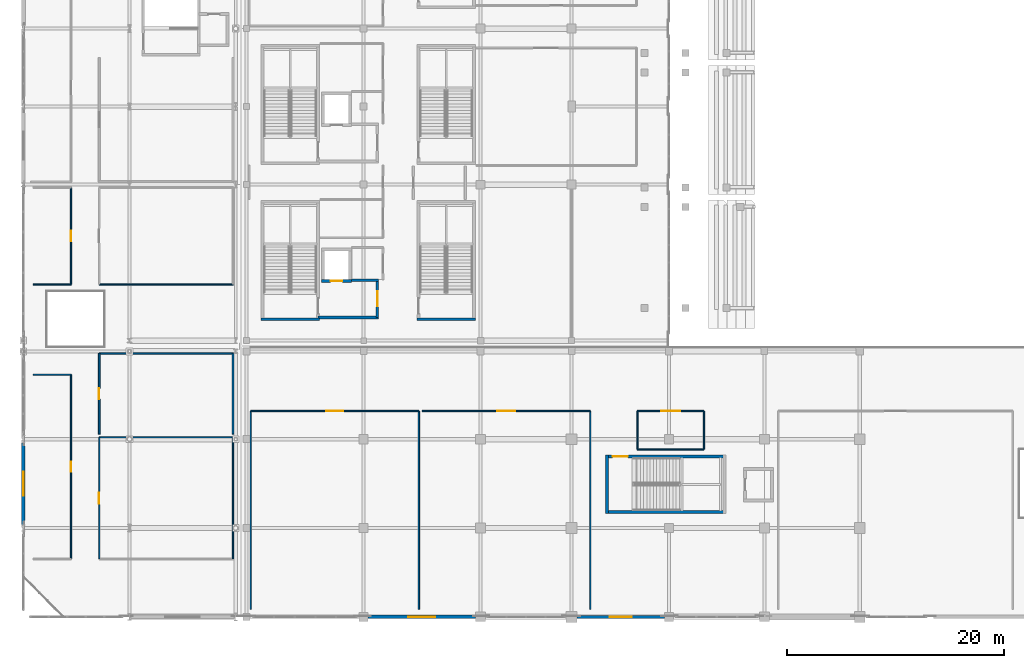
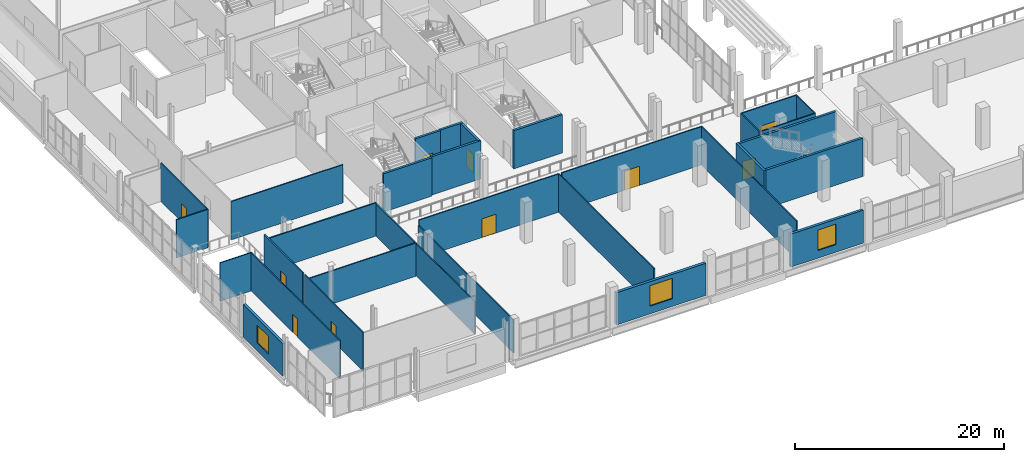
# One storey, part 87 of 142: 32 walls, 10 doors, 3 windows, 13 openings.
"""IFC4 building model written with IfcOpenShell, lengths in metres."""

from ifc_helpers import new_model, si_unit, direction, frame, frame_2d, origin, place, context, subcontext, project, spatial, rectangle, extrude, material, layer, layer_set, type_object, element, fill, save


model = new_model("IFC4")

# Units and contexts
model_context = context("Model", 3, precision=1e-05, world=origin(), true_north=direction((0.0, 1.0)))
body_context = subcontext(model_context, "Body", "Model", "MODEL_VIEW")
ifc_project = project(units=[si_unit("LENGTHUNIT", "METRE"), si_unit("AREAUNIT", "SQUARE_METRE"), si_unit("VOLUMEUNIT", "CUBIC_METRE"), si_unit("PLANEANGLEUNIT", "RADIAN"), si_unit("MASSUNIT", "GRAM", prefix="KILO")], contexts=[model_context])

# Site, building, storey
site_placement = place(None, origin())
site = spatial("IfcSite", under=ifc_project, at=site_placement, CompositionType="ELEMENT")
building_placement = place(site_placement, origin())
building = spatial("IfcBuilding", under=site, at=building_placement, Name="Koshinbarg Plaza Stadium", CompositionType="ELEMENT")
storey_placement = place(building_placement, frame((0.0, 0.0, 10.199951171875)))
storey = spatial("IfcBuildingStorey", under=building, at=storey_placement, Name="L02", CompositionType="ELEMENT", Elevation=10.199951171875)

# Walls
ifc_material_1 = material(Name="Concrete C40/50", Category="concrete")
ifc_layer_1 = layer(ifc_material_1, 0.25)
ifc_layer_set_1 = layer_set([ifc_layer_1], Name="Concrete C40/50")
wall_type_1 = type_object("IfcWallType", Name="WL-CORE-250", PredefinedType="SHEAR", material=ifc_layer_set_1)
wall_1_placement = place(storey_placement, frame((25.949951171875, 27.47509765625, 0.0), z_axis=(0.0, 0.0, 1.0), x_axis=(1.0, 0.0, 0.0)))
element("IfcWall", 1, at=wall_1_placement, inside=storey, type_object=wall_type_1, Name="L02 core stair shear wall C01-near IWL-L02-0009", PredefinedType="SHEAR", context=body_context, shape_type="SweptSolid", body=[
    extrude(rectangle(XDim=5.3701171875, YDim=0.25, at=frame_2d((2.68505859375, 0.0))), origin(), (0.0, 0.0, 1.0), 4.47998046875),
])
wall_2_placement = place(storey_placement, frame((57.875, 14.919921875, 0.0), z_axis=(0.0, 0.0, 1.0), x_axis=(0.0, -1.0, 0.0)))
element("IfcWall", 2, at=wall_2_placement, inside=storey, type_object=wall_type_1, Name="L02 core stair shear wall C13-near IWL-L02-0298", PredefinedType="SHEAR", context=body_context, shape_type="SweptSolid", body=[
    extrude(rectangle(XDim=5.369873046875, YDim=0.25, at=frame_2d((2.68505859375, 0.0))), origin(), (0.0, 0.0, 1.0), 4.47998046875),
])

# Wall, opening, door
wall_3_placement = place(storey_placement, frame((57.875, 14.794921875, 0.0), z_axis=(0.0, 0.0, 1.0), x_axis=(1.0, 0.0, 0.0)))
wall_3 = element("IfcWall", 3, at=wall_3_placement, inside=storey, type_object=wall_type_1, Name="L02 core stair shear wall C13-left IWL-L02-0300", PredefinedType="SHEAR", context=body_context, shape_type="SweptSolid", body=[
    extrude(rectangle(XDim=10.85009765625, YDim=0.25, at=frame_2d((5.425048828125, 0.0))), origin(), (0.0, 0.0, 1.0), 4.47998046875),
])
opening_1_placement = place(wall_3_placement, frame((0.52001953125, 0.0, 0.0)))
opening_1 = element("IfcOpeningElement", 4, at=opening_1_placement, cuts=wall_3, Name="Opening D-0137", PredefinedType="OPENING", context=body_context, shape_type="SweptSolid", body=[
    extrude(rectangle(XDim=1.39990234375, YDim=2.14990234375, at=frame_2d((0.699951171875, 1.074951171875))), frame((0.0, 0.135009765625, 0.0), z_axis=(0.0, -1.0, 0.0), x_axis=(1.0, 0.0, 0.0)), (0.0, 0.0, 1.0), 0.27001953125),
])
ifc_material_2 = material(Name="Painted galvanized steel fire door", Category="steel")
door_type_1 = type_object("IfcDoorType", Name="DR-STAIR-1400", OperationType="NOTDEFINED", PredefinedType="DOOR", material=ifc_material_2)
door_1_placement = place(opening_1_placement, frame((1.39990234375, 0.0, 0.0), z_axis=(0.0, 0.0, 1.0), x_axis=(-1.0, 0.0, 0.0)))
door_1 = element("IfcDoor", 5, at=door_1_placement, inside=storey, type_object=door_type_1, Name="L02 exit stair door C13", OperationType="SINGLE_SWING_LEFT", OverallHeight=2.14990234375, OverallWidth=1.39990234375, PredefinedType="DOOR", context=body_context, shape_type="SweptSolid", body=[
    extrude(rectangle(XDim=1.39990234375, YDim=2.14990234375, at=frame_2d((0.699951171875, 1.074951171875))), frame((0.0, 0.02490234375, 0.0), z_axis=(0.0, -1.0, 0.0), x_axis=(1.0, 0.0, 0.0)), (0.0, 0.0, 1.0), 0.050048828125),
])
fill(opening_1, door_1)

# Walls
wall_4_placement = place(storey_placement, frame((57.875, 9.675048828125, 0.0), z_axis=(0.0, 0.0, 1.0), x_axis=(1.0, 0.0, 0.0)))
element("IfcWall", 6, at=wall_4_placement, inside=storey, type_object=wall_type_1, Name="L02 core stair shear wall C13-right IWL-L02-0301", PredefinedType="SHEAR", context=body_context, shape_type="SweptSolid", body=[
    extrude(rectangle(XDim=10.85009765625, YDim=0.25, at=frame_2d((5.425048828125, 0.0))), origin(), (0.0, 0.0, 1.0), 4.47998046875),
])
wall_5_placement = place(storey_placement, frame((40.35009765625, 27.47509765625, 0.0), z_axis=(0.0, 0.0, 1.0), x_axis=(1.0, 0.0, 0.0)))
element("IfcWall", 7, at=wall_5_placement, inside=storey, type_object=wall_type_1, Name="L02 vomitory stair shear wall VX01-near IWL-L02-0362", PredefinedType="SHEAR", context=body_context, shape_type="SweptSolid", body=[
    extrude(rectangle(XDim=5.369873046875, YDim=0.25, at=frame_2d((2.68505859375, 0.0))), origin(), (0.0, 0.0, 1.0), 4.47998046875),
])

# Wall, opening, door
wall_6_placement = place(storey_placement, frame((31.52490234375, 31.0, 0.0), z_axis=(0.0, 0.0, 1.0), x_axis=(1.0, 0.0, 0.0)))
wall_6 = element("IfcWall", 8, at=wall_6_placement, inside=storey, type_object=wall_type_1, Name="L02 lift shaft shear wall FL01-S IWL-L02-0624", PredefinedType="SHEAR", context=body_context, shape_type="SweptSolid", body=[
    extrude(rectangle(XDim=2.75, YDim=0.25, at=frame_2d((1.375, 0.0))), origin(), (0.0, 0.0, 1.0), 4.47998046875),
])
opening_2_placement = place(wall_6_placement, frame((0.824951171875, 0.0, 0.0)))
opening_2 = element("IfcOpeningElement", 9, at=opening_2_placement, cuts=wall_6, Name="Opening D-0219", PredefinedType="OPENING", context=body_context, shape_type="SweptSolid", body=[
    extrude(rectangle(XDim=1.10009765625, YDim=2.14990234375, at=frame_2d((0.550048828125, 1.074951171875))), frame((0.0, 0.135009765625, 0.0), z_axis=(0.0, -1.0, 0.0), x_axis=(1.0, 0.0, 0.0)), (0.0, 0.0, 1.0), 0.27001953125),
])
ifc_material_3 = material(Name="Brushed stainless steel sliding lift landing door", Category="steel")
door_type_2 = type_object("IfcDoorType", Name="DR-LIFT-1100", OperationType="NOTDEFINED", PredefinedType="DOOR", material=ifc_material_3)
door_2_placement = place(opening_2_placement, origin())
door_2 = element("IfcDoor", 10, at=door_2_placement, inside=storey, type_object=door_type_2, Name="L02 lift landing door FL01", OperationType="SLIDING_TO_RIGHT", OverallHeight=2.14990234375, OverallWidth=1.10009765625, PredefinedType="DOOR", context=body_context, shape_type="SweptSolid", body=[
    extrude(rectangle(XDim=1.10009765625, YDim=2.14990234375, at=frame_2d((0.550048828125, 1.074951171875))), frame((0.0, 0.02490234375, 0.0), z_axis=(0.0, -1.0, 0.0), x_axis=(1.0, 0.0, 0.0)), (0.0, 0.0, 1.0), 0.050048828125),
])
fill(opening_2, door_2)

wall_7_placement = place(storey_placement, frame((36.675048828125, 27.625, 0.0), z_axis=(0.0, 0.0, 1.0), x_axis=(0.0, 1.0, 0.0)))
wall_7 = element("IfcWall", 11, at=wall_7_placement, inside=storey, type_object=wall_type_1, Name="L02 firefighting lobby wall C01-E IWL-L02-0628", PredefinedType="SHEAR", context=body_context, shape_type="SweptSolid", body=[
    extrude(rectangle(XDim=3.449951171875, YDim=0.25, at=frame_2d((1.72509765625, 0.0))), origin(), (0.0, 0.0, 1.0), 4.47998046875),
])
opening_3_placement = place(wall_7_placement, frame((1.02490234375, 0.0, 0.0)))
opening_3 = element("IfcOpeningElement", 12, at=opening_3_placement, cuts=wall_7, Name="Opening D-0220", PredefinedType="OPENING", context=body_context, shape_type="SweptSolid", body=[
    extrude(rectangle(XDim=1.39990234375, YDim=2.14990234375, at=frame_2d((0.699951171875, 1.074951171875))), frame((0.0, 0.135009765625, 0.0), z_axis=(0.0, -1.0, 0.0), x_axis=(1.0, 0.0, 0.0)), (0.0, 0.0, 1.0), 0.27001953125),
])
ifc_material_4 = material(Name="Smoke-sealed steel firefighting lobby door", Category="steel")
door_type_3 = type_object("IfcDoorType", Name="DR-FFLOB-1400", OperationType="NOTDEFINED", PredefinedType="DOOR", material=ifc_material_4)
door_3_placement = place(opening_3_placement, origin())
door_3 = element("IfcDoor", 13, at=door_3_placement, inside=storey, type_object=door_type_3, Name="L02 firefighting lobby fire door C01", OperationType="DOUBLE_DOOR_SINGLE_SWING", OverallHeight=2.14990234375, OverallWidth=1.39990234375, PredefinedType="DOOR", context=body_context, shape_type="SweptSolid", body=[
    extrude(rectangle(XDim=1.39990234375, YDim=2.14990234375, at=frame_2d((0.699951171875, 1.074951171875))), frame((0.0, 0.02490234375, 0.0), z_axis=(0.0, -1.0, 0.0), x_axis=(1.0, 0.0, 0.0)), (0.0, 0.0, 1.0), 0.050048828125),
])
fill(opening_3, door_3)

# Walls
wall_8_placement = place(storey_placement, frame((34.27490234375, 31.074951171875, 0.0), z_axis=(0.0, 0.0, 1.0), x_axis=(1.0, 0.0, 0.0)))
element("IfcWall", 14, at=wall_8_placement, inside=storey, type_object=wall_type_1, Name="L02 firefighting lobby wall C01-NE IWL-L02-0629", PredefinedType="SHEAR", context=body_context, shape_type="SweptSolid", body=[
    extrude(rectangle(XDim=2.525146484375, YDim=0.25, at=frame_2d((1.2626953125, 0.0))), origin(), (0.0, 0.0, 1.0), 4.47998046875),
])
wall_9_placement = place(storey_placement, frame((31.199951171875, 27.625, 0.0), z_axis=(0.0, 0.0, 1.0), x_axis=(1.0, 0.0, 0.0)))
element("IfcWall", 15, at=wall_9_placement, inside=storey, type_object=wall_type_1, Name="L02 firefighting lobby wall C01-S IWL-L02-0630", PredefinedType="SHEAR", context=body_context, shape_type="SweptSolid", body=[
    extrude(rectangle(XDim=5.60009765625, YDim=0.25, at=frame_2d((2.800048828125, 0.0))), origin(), (0.0, 0.0, 1.0), 4.47998046875),
])

# Wall, opening, window
ifc_material_5 = material(Name="Terracotta-ochre mineral plaster insulated wall", Category="masonry")
ifc_layer_2 = layer(ifc_material_5, 0.280029296875)
ifc_layer_set_2 = layer_set([ifc_layer_2], Name="Terracotta-ochre mineral plaster insulated wall")
wall_type_2 = type_object("IfcWallType", Name="WL-EXT-280", PredefinedType="SOLIDWALL", material=ifc_layer_set_2)
wall_10_placement = place(storey_placement, frame((63.179931640625, 0.0, 0.0), z_axis=(0.0, 0.0, 1.0), x_axis=(-1.0, 0.0, 0.0)))
wall_10 = element("IfcWall", 16, at=wall_10_placement, inside=storey, type_object=wall_type_2, Name="L02 exterior envelope wall EWL-L02-0140", PredefinedType="SOLIDWALL", context=body_context, shape_type="SweptSolid", body=[
    extrude(rectangle(XDim=8.0849609375, YDim=0.280029296875, at=frame_2d((4.04248046875, 0.0))), origin(), (0.0, 0.0, 1.0), 3.860107421875),
])
opening_4_placement = place(wall_10_placement, frame((3.04248046875, 0.0, 0.89990234375)))
opening_4 = element("IfcOpeningElement", 17, at=opening_4_placement, cuts=wall_10, Name="Opening WN20", PredefinedType="OPENING", context=body_context, shape_type="SweptSolid", body=[
    extrude(rectangle(XDim=2.0, YDim=2.39990234375, at=frame_2d((1.0, 1.199951171875))), frame((0.0, 0.14990234375, 0.0), z_axis=(0.0, -1.0, 0.0), x_axis=(1.0, 0.0, 0.0)), (0.0, 0.0, 1.0), 0.300048828125),
])
ifc_material_6 = material(Name="Solar-control double glazing in thermally broken aluminium frame", Category="aluminium")
window_type_1 = type_object("IfcWindowType", Name="WN-FAC-20", PartitioningType="DOUBLE_PANEL_VERTICAL", PredefinedType="WINDOW", material=ifc_material_6)
window_1_placement = place(opening_4_placement, origin())
window_1 = element("IfcWindow", 18, at=window_1_placement, inside=storey, type_object=window_type_1, Name="L02 facade window 0075", OverallHeight=2.39990234375, OverallWidth=2.0, PartitioningType="SINGLE_PANEL", PredefinedType="WINDOW", context=body_context, shape_type="SweptSolid", body=[
    extrude(rectangle(XDim=2.0, YDim=2.39990234375, at=frame_2d((1.0, 1.199951171875))), frame((0.0, 0.030029296875, 0.0), z_axis=(0.0, -1.0, 0.0), x_axis=(1.0, 0.0, 0.0)), (0.0, 0.0, 1.0), 0.06005859375),
])
fill(opening_4, window_1)

ifc_material_7 = material(Name="Off-white mineral plaster insulated wall", Category="masonry")
ifc_layer_3 = layer(ifc_material_7, 0.300048828125)
ifc_layer_set_3 = layer_set([ifc_layer_3], Name="Off-white mineral plaster insulated wall")
wall_type_3 = type_object("IfcWallType", Name="WL-EXT-300", PredefinedType="SOLIDWALL", material=ifc_layer_set_3)
wall_11_placement = place(storey_placement, frame((4.0, 8.4951171875, 0.0), z_axis=(0.0, 0.0, 1.0), x_axis=(0.0, 1.0, 0.0)))
wall_11 = element("IfcWall", 19, at=wall_11_placement, inside=storey, type_object=wall_type_3, Name="L02 exterior envelope wall EWL-L02-0109", PredefinedType="SOLIDWALL", context=body_context, shape_type="SweptSolid", body=[
    extrude(rectangle(XDim=7.559814453125, YDim=0.300048828125, at=frame_2d((3.77978515625, 0.0))), origin(), (0.0, 0.0, 1.0), 3.780029296875),
])
opening_5_placement = place(wall_11_placement, frame((2.679931640625, 0.0, 0.89990234375)))
opening_5 = element("IfcOpeningElement", 20, at=opening_5_placement, cuts=wall_11, Name="Opening WN15", PredefinedType="OPENING", context=body_context, shape_type="SweptSolid", body=[
    extrude(rectangle(XDim=2.199951171875, YDim=2.10009765625, at=frame_2d((1.10009765625, 1.050048828125))), frame((0.0, 0.159912109375, 0.0), z_axis=(0.0, -1.0, 0.0), x_axis=(1.0, 0.0, 0.0)), (0.0, 0.0, 1.0), 0.320068359375),
])
window_type_2 = type_object("IfcWindowType", Name="WN-FAC-15", PartitioningType="DOUBLE_PANEL_VERTICAL", PredefinedType="WINDOW", material=ifc_material_6)
window_2_placement = place(opening_5_placement, origin())
window_2 = element("IfcWindow", 21, at=window_2_placement, inside=storey, type_object=window_type_2, Name="L02 facade window 0048", OverallHeight=2.10009765625, OverallWidth=2.199951171875, PartitioningType="SINGLE_PANEL", PredefinedType="WINDOW", context=body_context, shape_type="SweptSolid", body=[
    extrude(rectangle(XDim=2.199951171875, YDim=2.10009765625, at=frame_2d((1.10009765625, 1.050048828125))), frame((0.0, 0.030029296875, 0.0), z_axis=(0.0, -1.0, 0.0), x_axis=(1.0, 0.0, 0.0)), (0.0, 0.0, 1.0), 0.06005859375),
])
fill(opening_5, window_2)

wall_12_placement = place(storey_placement, frame((45.7548828125, 0.0, 0.0), z_axis=(0.0, 0.0, 1.0), x_axis=(-1.0, 0.0, 0.0)))
wall_12 = element("IfcWall", 22, at=wall_12_placement, inside=storey, type_object=wall_type_3, Name="L02 exterior envelope wall EWL-L02-0141", PredefinedType="SOLIDWALL", context=body_context, shape_type="SweptSolid", body=[
    extrude(rectangle(XDim=9.934814453125, YDim=0.300048828125, at=frame_2d((4.96728515625, 0.0))), origin(), (0.0, 0.0, 1.0), 3.760009765625),
])
opening_6_placement = place(wall_12_placement, frame((3.717529296875, 0.0, 0.89990234375)))
opening_6 = element("IfcOpeningElement", 23, at=opening_6_placement, cuts=wall_12, Name="Opening WN21", PredefinedType="OPENING", context=body_context, shape_type="SweptSolid", body=[
    extrude(rectangle(XDim=2.5, YDim=2.39990234375, at=frame_2d((1.25, 1.199951171875))), frame((0.0, 0.159912109375, 0.0), z_axis=(0.0, -1.0, 0.0), x_axis=(1.0, 0.0, 0.0)), (0.0, 0.0, 1.0), 0.320068359375),
])
window_type_3 = type_object("IfcWindowType", Name="WN-FAC-21", PartitioningType="DOUBLE_PANEL_VERTICAL", PredefinedType="WINDOW", material=ifc_material_6)
window_3_placement = place(opening_6_placement, origin())
window_3 = element("IfcWindow", 24, at=window_3_placement, inside=storey, type_object=window_type_3, Name="L02 facade window 0076", OverallHeight=2.39990234375, OverallWidth=2.5, PartitioningType="SINGLE_PANEL", PredefinedType="WINDOW", context=body_context, shape_type="SweptSolid", body=[
    extrude(rectangle(XDim=2.5, YDim=2.39990234375, at=frame_2d((1.25, 1.199951171875))), frame((0.0, 0.030029296875, 0.0), z_axis=(0.0, -1.0, 0.0), x_axis=(1.0, 0.0, 0.0)), (0.0, 0.0, 1.0), 0.06005859375),
])
fill(opening_6, window_3)

# Wall
ifc_material_8 = material(Name="Gypsum board metal-stud acoustic partition")
ifc_layer_4 = layer(ifc_material_8, 0.1201171875)
ifc_layer_set_4 = layer_set([ifc_layer_4], Name="Gypsum board metal-stud acoustic partition")
wall_type_4 = type_object("IfcWallType", Name="WL-PART-120", PredefinedType="PARTITIONING", material=ifc_layer_set_4)
wall_13_placement = place(storey_placement, frame((40.506591796875, 0.699951171875, 0.0), z_axis=(0.0, 0.0, 1.0), x_axis=(0.0, 1.0, 0.0)))
element("IfcWall", 25, at=wall_13_placement, inside=storey, type_object=wall_type_4, Name="L02 interior partition L02-127-east IWL-L02-1809", PredefinedType="PARTITIONING", context=body_context, shape_type="SweptSolid", body=[
    extrude(rectangle(XDim=18.300048828125, YDim=0.1201171875, at=frame_2d((9.14990234375, 0.0))), origin(), (0.0, 0.0, 1.0), 4.47998046875),
])

# Wall, opening, door
wall_14_placement = place(storey_placement, frame((40.506591796875, 19.0, 0.0), z_axis=(0.0, 0.0, 1.0), x_axis=(-1.0, 0.0, 0.0)))
wall_14 = element("IfcWall", 26, at=wall_14_placement, inside=storey, type_object=wall_type_4, Name="L02 interior partition L02-127-north IWL-L02-1810", PredefinedType="PARTITIONING", context=body_context, shape_type="SweptSolid", body=[
    extrude(rectangle(XDim=15.511474609375, YDim=0.1201171875, at=frame_2d((7.755859375, 0.0))), origin(), (0.0, 0.0, 1.0), 4.47998046875),
])
opening_7_placement = place(wall_14_placement, frame((6.98095703125, 0.0, 0.0)))
opening_7 = element("IfcOpeningElement", 27, at=opening_7_placement, cuts=wall_14, Name="Opening D-0614", PredefinedType="OPENING", context=body_context, shape_type="SweptSolid", body=[
    extrude(rectangle(XDim=1.550048828125, YDim=2.199951171875, at=frame_2d((0.77490234375, 1.10009765625))), frame((0.0, 0.070068359375, 0.0), z_axis=(0.0, -1.0, 0.0), x_axis=(1.0, 0.0, 0.0)), (0.0, 0.0, 1.0), 0.14013671875),
])
ifc_material_9 = material(Name="Toughened laminated glass in aluminium frame", Category="aluminium")
door_type_4 = type_object("IfcDoorType", Name="DR-INT-1550x2200", OperationType="NOTDEFINED", PredefinedType="DOOR", material=ifc_material_9)
door_4_placement = place(opening_7_placement, origin())
door_4 = element("IfcDoor", 28, at=door_4_placement, inside=storey, type_object=door_type_4, Name="L02 South Hospitality Lounge door D-0614", OperationType="DOUBLE_DOOR_SINGLE_SWING", OverallHeight=2.199951171875, OverallWidth=1.550048828125, PredefinedType="DOOR", context=body_context, shape_type="SweptSolid", body=[
    extrude(rectangle(XDim=1.550048828125, YDim=2.199951171875, at=frame_2d((0.77490234375, 1.10009765625))), frame((0.0, 0.02490234375, 0.0), z_axis=(0.0, -1.0, 0.0), x_axis=(1.0, 0.0, 0.0)), (0.0, 0.0, 1.0), 0.050048828125),
])
fill(opening_7, door_4)

# Walls
wall_15_placement = place(storey_placement, frame((24.9951171875, 19.0, 0.0), z_axis=(0.0, 0.0, 1.0), x_axis=(0.0, -1.0, 0.0)))
element("IfcWall", 29, at=wall_15_placement, inside=storey, type_object=wall_type_4, Name="L02 interior partition L02-127-west IWL-L02-1811", PredefinedType="PARTITIONING", context=body_context, shape_type="SweptSolid", body=[
    extrude(rectangle(XDim=18.300048828125, YDim=0.1201171875, at=frame_2d((9.14990234375, 0.0))), origin(), (0.0, 0.0, 1.0), 3.860107421875),
])
wall_16_placement = place(storey_placement, frame((56.318359375, 0.699951171875, 0.0), z_axis=(0.0, 0.0, 1.0), x_axis=(0.0, 1.0, 0.0)))
element("IfcWall", 30, at=wall_16_placement, inside=storey, type_object=wall_type_4, Name="L02 interior partition L02-128-east IWL-L02-1812", PredefinedType="PARTITIONING", context=body_context, shape_type="SweptSolid", body=[
    extrude(rectangle(XDim=18.300048828125, YDim=0.1201171875, at=frame_2d((9.14990234375, 0.0))), origin(), (0.0, 0.0, 1.0), 4.47998046875),
])

# Wall, opening, door
wall_17_placement = place(storey_placement, frame((56.318359375, 19.0, 0.0), z_axis=(0.0, 0.0, 1.0), x_axis=(-1.0, 0.0, 0.0)))
wall_17 = element("IfcWall", 31, at=wall_17_placement, inside=storey, type_object=wall_type_4, Name="L02 interior partition L02-128-north IWL-L02-1813", PredefinedType="PARTITIONING", context=body_context, shape_type="SweptSolid", body=[
    extrude(rectangle(XDim=15.51171875, YDim=0.1201171875, at=frame_2d((7.755859375, 0.0))), origin(), (0.0, 0.0, 1.0), 4.47998046875),
])
opening_8_placement = place(wall_17_placement, frame((6.915771484375, 0.0, 0.0)))
opening_8 = element("IfcOpeningElement", 32, at=opening_8_placement, cuts=wall_17, Name="Opening D-0615", PredefinedType="OPENING", context=body_context, shape_type="SweptSolid", body=[
    extrude(rectangle(XDim=1.679931640625, YDim=2.25, at=frame_2d((0.83984375, 1.125))), frame((0.0, 0.070068359375, 0.0), z_axis=(0.0, -1.0, 0.0), x_axis=(1.0, 0.0, 0.0)), (0.0, 0.0, 1.0), 0.14013671875),
])
ifc_material_10 = material(Name="Powder-coated aluminium double glazed door", Category="aluminium")
door_type_5 = type_object("IfcDoorType", Name="DR-INT-1680x2250", OperationType="NOTDEFINED", PredefinedType="DOOR", material=ifc_material_10)
door_5_placement = place(opening_8_placement, origin())
door_5 = element("IfcDoor", 33, at=door_5_placement, inside=storey, type_object=door_type_5, Name="L02 Central Banquet Kitchen door D-0615", OperationType="DOUBLE_DOOR_SINGLE_SWING", OverallHeight=2.25, OverallWidth=1.679931640625, PredefinedType="DOOR", context=body_context, shape_type="SweptSolid", body=[
    extrude(rectangle(XDim=1.679931640625, YDim=2.25, at=frame_2d((0.83984375, 1.125))), frame((0.0, 0.02490234375, 0.0), z_axis=(0.0, -1.0, 0.0), x_axis=(1.0, 0.0, 0.0)), (0.0, 0.0, 1.0), 0.050048828125),
])
fill(opening_8, door_5)

# Walls
wall_18_placement = place(storey_placement, frame((60.679931640625, 15.449951171875, 0.0), z_axis=(0.0, 0.0, 1.0), x_axis=(1.0, 0.0, 0.0)))
element("IfcWall", 34, at=wall_18_placement, inside=storey, type_object=wall_type_4, Name="L02 interior partition L02-129-south IWL-L02-1814", PredefinedType="PARTITIONING", context=body_context, shape_type="SweptSolid", body=[
    extrude(rectangle(XDim=6.14013671875, YDim=0.1201171875, at=frame_2d((3.070068359375, 0.0))), origin(), (0.0, 0.0, 1.0), 4.47998046875),
])
wall_19_placement = place(storey_placement, frame((66.820068359375, 15.449951171875, 0.0), z_axis=(0.0, 0.0, 1.0), x_axis=(0.0, 1.0, 0.0)))
element("IfcWall", 35, at=wall_19_placement, inside=storey, type_object=wall_type_4, Name="L02 interior partition L02-129-east IWL-L02-1815", PredefinedType="PARTITIONING", context=body_context, shape_type="SweptSolid", body=[
    extrude(rectangle(XDim=3.550048828125, YDim=0.1201171875, at=frame_2d((1.77490234375, 0.0))), origin(), (0.0, 0.0, 1.0), 4.47998046875),
])

# Wall, opening, door
wall_20_placement = place(storey_placement, frame((66.820068359375, 19.0, 0.0), z_axis=(0.0, 0.0, 1.0), x_axis=(-1.0, 0.0, 0.0)))
wall_20 = element("IfcWall", 36, at=wall_20_placement, inside=storey, type_object=wall_type_4, Name="L02 interior partition L02-129-north IWL-L02-1816", PredefinedType="PARTITIONING", context=body_context, shape_type="SweptSolid", body=[
    extrude(rectangle(XDim=6.14013671875, YDim=0.1201171875, at=frame_2d((3.070068359375, 0.0))), origin(), (0.0, 0.0, 1.0), 4.47998046875),
])
opening_9_placement = place(wall_20_placement, frame((2.18994140625, 0.0, 0.0)))
opening_9 = element("IfcOpeningElement", 37, at=opening_9_placement, cuts=wall_20, Name="Opening D-0616", PredefinedType="OPENING", context=body_context, shape_type="SweptSolid", body=[
    extrude(rectangle(XDim=1.760009765625, YDim=2.25, at=frame_2d((0.8798828125, 1.125))), frame((0.0, 0.070068359375, 0.0), z_axis=(0.0, -1.0, 0.0), x_axis=(1.0, 0.0, 0.0)), (0.0, 0.0, 1.0), 0.14013671875),
])
ifc_material_11 = material(Name="Solid-core oak veneer double swing door")
door_type_6 = type_object("IfcDoorType", Name="DR-INT-1760x2250", OperationType="NOTDEFINED", PredefinedType="DOOR", material=ifc_material_11)
door_6_placement = place(opening_9_placement, origin())
door_6 = element("IfcDoor", 38, at=door_6_placement, inside=storey, type_object=door_type_6, Name="L02 South Club Reception Salon door D-0616", OperationType="DOUBLE_DOOR_SINGLE_SWING", OverallHeight=2.25, OverallWidth=1.760009765625, PredefinedType="DOOR", context=body_context, shape_type="SweptSolid", body=[
    extrude(rectangle(XDim=1.760009765625, YDim=2.25, at=frame_2d((0.8798828125, 1.125))), frame((0.0, 0.02490234375, 0.0), z_axis=(0.0, -1.0, 0.0), x_axis=(1.0, 0.0, 0.0)), (0.0, 0.0, 1.0), 0.050048828125),
])
fill(opening_9, door_6)

# Wall
wall_21_placement = place(storey_placement, frame((60.679931640625, 19.0, 0.0), z_axis=(0.0, 0.0, 1.0), x_axis=(0.0, -1.0, 0.0)))
element("IfcWall", 39, at=wall_21_placement, inside=storey, type_object=wall_type_4, Name="L02 interior partition L02-129-west IWL-L02-1817", PredefinedType="PARTITIONING", context=body_context, shape_type="SweptSolid", body=[
    extrude(rectangle(XDim=3.550048828125, YDim=0.1201171875, at=frame_2d((1.77490234375, 0.0))), origin(), (0.0, 0.0, 1.0), 4.47998046875),
])

# Wall, opening, door
wall_22_placement = place(storey_placement, frame((8.39990234375, 5.35009765625, 0.0), z_axis=(0.0, 0.0, 1.0), x_axis=(0.0, 1.0, 0.0)))
wall_22 = element("IfcWall", 40, at=wall_22_placement, inside=storey, type_object=wall_type_4, Name="L02 interior partition L02-153-east IWL-L02-1885", PredefinedType="PARTITIONING", context=body_context, shape_type="SweptSolid", body=[
    extrude(rectangle(XDim=16.989990234375, YDim=0.1201171875, at=frame_2d((8.4951171875, 0.0))), origin(), (0.0, 0.0, 1.0), 4.47998046875),
])
opening_10_placement = place(wall_22_placement, frame((8.034912109375, 0.0, 0.0)))
opening_10 = element("IfcOpeningElement", 41, at=opening_10_placement, cuts=wall_22, Name="Opening D-0640", PredefinedType="OPENING", context=body_context, shape_type="SweptSolid", body=[
    extrude(rectangle(XDim=0.919921875, YDim=2.10009765625, at=frame_2d((0.4599609375, 1.050048828125))), frame((0.0, 0.070068359375, 0.0), z_axis=(0.0, -1.0, 0.0), x_axis=(1.0, 0.0, 0.0)), (0.0, 0.0, 1.0), 0.14013671875),
])
ifc_material_12 = material(Name="Solid-core oak veneer acoustic door")
door_type_7 = type_object("IfcDoorType", Name="DR-INT-0920x2100", OperationType="NOTDEFINED", PredefinedType="DOOR", material=ifc_material_12)
door_7_placement = place(opening_10_placement, origin())
door_7 = element("IfcDoor", 42, at=door_7_placement, inside=storey, type_object=door_type_7, Name="L02 Protocol Reception Salon door D-0640", OperationType="SINGLE_SWING_RIGHT", OverallHeight=2.10009765625, OverallWidth=0.919921875, PredefinedType="DOOR", context=body_context, shape_type="SweptSolid", body=[
    extrude(rectangle(XDim=0.919921875, YDim=2.10009765625, at=frame_2d((0.4599609375, 1.050048828125))), frame((0.0, 0.02490234375, 0.0), z_axis=(0.0, -1.0, 0.0), x_axis=(1.0, 0.0, 0.0)), (0.0, 0.0, 1.0), 0.050048828125),
])
fill(opening_10, door_7)

# Walls
for number, where, z_axis, x_axis, name in (
    (43, (8.39990234375, 22.340087890625, 0.0), (0.0, 0.0, 1.0), (-1.0, 0.0, 0.0), "L02 interior partition L02-153-north IWL-L02-1886"),
    (44, (4.89990234375, 30.679931640625, 0.0), (0.0, 0.0, 1.0), (1.0, 0.0, 0.0), "L02 interior partition L02-154-south IWL-L02-1887"),
):
    element("IfcWall", number, at=place(storey_placement, frame(where, z_axis=z_axis, x_axis=x_axis)), inside=storey, type_object=wall_type_4, Name=name, PredefinedType="PARTITIONING", context=body_context, shape_type="SweptSolid", body=[
        extrude(rectangle(XDim=3.5, YDim=0.1201171875, at=frame_2d((1.75, 0.0))), origin(), (0.0, 0.0, 1.0), 4.47998046875),
    ])

# Wall, opening, door
wall_23_placement = place(storey_placement, frame((8.39990234375, 30.679931640625, 0.0), z_axis=(0.0, 0.0, 1.0), x_axis=(0.0, 1.0, 0.0)))
wall_23 = element("IfcWall", 45, at=wall_23_placement, inside=storey, type_object=wall_type_4, Name="L02 interior partition L02-154-east IWL-L02-1888", PredefinedType="PARTITIONING", context=body_context, shape_type="SweptSolid", body=[
    extrude(rectangle(XDim=8.949951171875, YDim=0.1201171875, at=frame_2d((4.47509765625, 0.0))), origin(), (0.0, 0.0, 1.0), 4.47998046875),
])
opening_11_placement = place(wall_23_placement, frame((3.9951171875, 0.0, 0.0)))
opening_11 = element("IfcOpeningElement", 46, at=opening_11_placement, cuts=wall_23, Name="Opening D-0641", PredefinedType="OPENING", context=body_context, shape_type="SweptSolid", body=[
    extrude(rectangle(XDim=0.9599609375, YDim=2.10009765625, at=frame_2d((0.47998046875, 1.050048828125))), frame((0.0, 0.070068359375, 0.0), z_axis=(0.0, -1.0, 0.0), x_axis=(1.0, 0.0, 0.0)), (0.0, 0.0, 1.0), 0.14013671875),
])
door_type_8 = type_object("IfcDoorType", Name="DR-INT-0960x2100", OperationType="NOTDEFINED", PredefinedType="DOOR", material=ifc_material_12)
door_8_placement = place(opening_11_placement, origin())
door_8 = element("IfcDoor", 47, at=door_8_placement, inside=storey, type_object=door_type_8, Name="L02 Southwest Club Dining Hall door D-0641", OperationType="SINGLE_SWING_LEFT", OverallHeight=2.10009765625, OverallWidth=0.9599609375, PredefinedType="DOOR", context=body_context, shape_type="SweptSolid", body=[
    extrude(rectangle(XDim=0.9599609375, YDim=2.10009765625, at=frame_2d((0.47998046875, 1.050048828125))), frame((0.0, 0.02490234375, 0.0), z_axis=(0.0, -1.0, 0.0), x_axis=(1.0, 0.0, 0.0)), (0.0, 0.0, 1.0), 0.050048828125),
])
fill(opening_11, door_8)

# Walls
wall_24_placement = place(storey_placement, frame((23.35498046875, 5.35009765625, 0.0), z_axis=(0.0, 0.0, 1.0), x_axis=(0.0, 1.0, 0.0)))
element("IfcWall", 48, at=wall_24_placement, inside=storey, type_object=wall_type_4, Name="L02 interior partition L02-155-east IWL-L02-1891", PredefinedType="PARTITIONING", context=body_context, shape_type="SweptSolid", body=[
    extrude(rectangle(XDim=11.2265625, YDim=0.1201171875, at=frame_2d((5.61328125, 0.0))), origin(), (0.0, 0.0, 1.0), 3.780029296875),
])
wall_25_placement = place(storey_placement, frame((23.35498046875, 16.57666015625, 0.0), z_axis=(0.0, 0.0, 1.0), x_axis=(-1.0, 0.0, 0.0)))
element("IfcWall", 49, at=wall_25_placement, inside=storey, type_object=wall_type_4, Name="L02 interior partition L02-155-north IWL-L02-1892", PredefinedType="PARTITIONING", context=body_context, shape_type="SweptSolid", body=[
    extrude(rectangle(XDim=12.35498046875, YDim=0.1201171875, at=frame_2d((6.177490234375, 0.0))), origin(), (0.0, 0.0, 1.0), 3.880126953125),
])

# Wall, opening, door
wall_26_placement = place(storey_placement, frame((11.0, 16.57666015625, 0.0), z_axis=(0.0, 0.0, 1.0), x_axis=(0.0, -1.0, 0.0)))
wall_26 = element("IfcWall", 50, at=wall_26_placement, inside=storey, type_object=wall_type_4, Name="L02 interior partition L02-155-west IWL-L02-1893", PredefinedType="PARTITIONING", context=body_context, shape_type="SweptSolid", body=[
    extrude(rectangle(XDim=11.2265625, YDim=0.1201171875, at=frame_2d((5.61328125, 0.0))), origin(), (0.0, 0.0, 1.0), 4.47998046875),
])
opening_12_placement = place(wall_26_placement, frame((5.11328125, 0.0, 0.0)))
opening_12 = element("IfcOpeningElement", 51, at=opening_12_placement, cuts=wall_26, Name="Opening D-0642", PredefinedType="OPENING", context=body_context, shape_type="SweptSolid", body=[
    extrude(rectangle(XDim=1.0, YDim=2.10009765625, at=frame_2d((0.5, 1.050048828125))), frame((0.0, 0.070068359375, 0.0), z_axis=(0.0, -1.0, 0.0), x_axis=(1.0, 0.0, 0.0)), (0.0, 0.0, 1.0), 0.14013671875),
])
ifc_material_13 = material(Name="Solid-core laminate accessible WC door")
door_type_9 = type_object("IfcDoorType", Name="DR-INT-1000x2100", OperationType="NOTDEFINED", PredefinedType="DOOR", material=ifc_material_13)
door_9_placement = place(opening_12_placement, origin())
door_9 = element("IfcDoor", 52, at=door_9_placement, inside=storey, type_object=door_type_9, Name="L02 Southwest Club Dining Hall door D-0642", OperationType="SINGLE_SWING_RIGHT", OverallHeight=2.10009765625, OverallWidth=1.0, PredefinedType="DOOR", context=body_context, shape_type="SweptSolid", body=[
    extrude(rectangle(XDim=1.0, YDim=2.10009765625, at=frame_2d((0.5, 1.050048828125))), frame((0.0, 0.02490234375, 0.0), z_axis=(0.0, -1.0, 0.0), x_axis=(1.0, 0.0, 0.0)), (0.0, 0.0, 1.0), 0.050048828125),
])
fill(opening_12, door_9)

# Walls
wall_27_placement = place(storey_placement, frame((11.0, 30.679931640625, 0.0), z_axis=(0.0, 0.0, 1.0), x_axis=(1.0, 0.0, 0.0)))
element("IfcWall", 53, at=wall_27_placement, inside=storey, type_object=wall_type_4, Name="L02 interior partition L02-157-south IWL-L02-1897", PredefinedType="PARTITIONING", context=body_context, shape_type="SweptSolid", body=[
    extrude(rectangle(XDim=12.35498046875, YDim=0.1201171875, at=frame_2d((6.177490234375, 0.0))), origin(), (0.0, 0.0, 1.0), 4.47998046875),
])
ifc_material_14 = material(Name="Double-layer gypsum acoustic suite partition")
ifc_layer_5 = layer(ifc_material_14, 0.14990234375)
ifc_layer_set_5 = layer_set([ifc_layer_5], Name="Double-layer gypsum acoustic suite partition")
wall_type_5 = type_object("IfcWallType", Name="WL-PART-150", PredefinedType="PARTITIONING", material=ifc_layer_set_5)
wall_28_placement = place(storey_placement, frame((23.35498046875, 16.876708984375, 0.0), z_axis=(0.0, 0.0, 1.0), x_axis=(0.0, 1.0, 0.0)))
element("IfcWall", 54, at=wall_28_placement, inside=storey, type_object=wall_type_5, Name="L02 interior partition L02-156-east IWL-L02-1894", PredefinedType="PARTITIONING", context=body_context, shape_type="SweptSolid", body=[
    extrude(rectangle(XDim=7.443359375, YDim=0.14990234375, at=frame_2d((3.7216796875, 0.0))), origin(), (0.0, 0.0, 1.0), 3.780029296875),
])
wall_29_placement = place(storey_placement, frame((23.35498046875, 24.320068359375, 0.0), z_axis=(0.0, 0.0, 1.0), x_axis=(-1.0, 0.0, 0.0)))
element("IfcWall", 55, at=wall_29_placement, inside=storey, type_object=wall_type_5, Name="L02 interior partition L02-156-north IWL-L02-1895", PredefinedType="PARTITIONING", context=body_context, shape_type="SweptSolid", body=[
    extrude(rectangle(XDim=12.35498046875, YDim=0.14990234375, at=frame_2d((6.177490234375, 0.0))), origin(), (0.0, 0.0, 1.0), 3.880126953125),
])

# Wall, opening, door
wall_30_placement = place(storey_placement, frame((11.0, 24.320068359375, 0.0), z_axis=(0.0, 0.0, 1.0), x_axis=(0.0, -1.0, 0.0)))
wall_30 = element("IfcWall", 56, at=wall_30_placement, inside=storey, type_object=wall_type_5, Name="L02 interior partition L02-156-west IWL-L02-1896", PredefinedType="PARTITIONING", context=body_context, shape_type="SweptSolid", body=[
    extrude(rectangle(XDim=7.443359375, YDim=0.14990234375, at=frame_2d((3.7216796875, 0.0))), origin(), (0.0, 0.0, 1.0), 4.47998046875),
])
opening_13_placement = place(wall_30_placement, frame((3.19677734375, 0.0, 0.0)))
opening_13 = element("IfcOpeningElement", 57, at=opening_13_placement, cuts=wall_30, Name="Opening D-0643", PredefinedType="OPENING", context=body_context, shape_type="SweptSolid", body=[
    extrude(rectangle(XDim=1.050048828125, YDim=2.14990234375, at=frame_2d((0.52490234375, 1.074951171875))), frame((0.0, 0.0849609375, 0.0), z_axis=(0.0, -1.0, 0.0), x_axis=(1.0, 0.0, 0.0)), (0.0, 0.0, 1.0), 0.169921875),
])
ifc_material_15 = material(Name="Solid-core oak suite entrance door")
door_type_10 = type_object("IfcDoorType", Name="DR-INT-1050x2150", OperationType="NOTDEFINED", PredefinedType="DOOR", material=ifc_material_15)
door_10_placement = place(opening_13_placement, origin())
door_10 = element("IfcDoor", 58, at=door_10_placement, inside=storey, type_object=door_type_10, Name="L02 Southwest Hospitality Suite door D-0643", OperationType="SINGLE_SWING_LEFT", OverallHeight=2.14990234375, OverallWidth=1.050048828125, PredefinedType="DOOR", context=body_context, shape_type="SweptSolid", body=[
    extrude(rectangle(XDim=1.050048828125, YDim=2.14990234375, at=frame_2d((0.52490234375, 1.074951171875))), frame((0.0, 0.02490234375, 0.0), z_axis=(0.0, -1.0, 0.0), x_axis=(1.0, 0.0, 0.0)), (0.0, 0.0, 1.0), 0.050048828125),
])
fill(opening_13, door_10)

save(model, "model.ifc")
